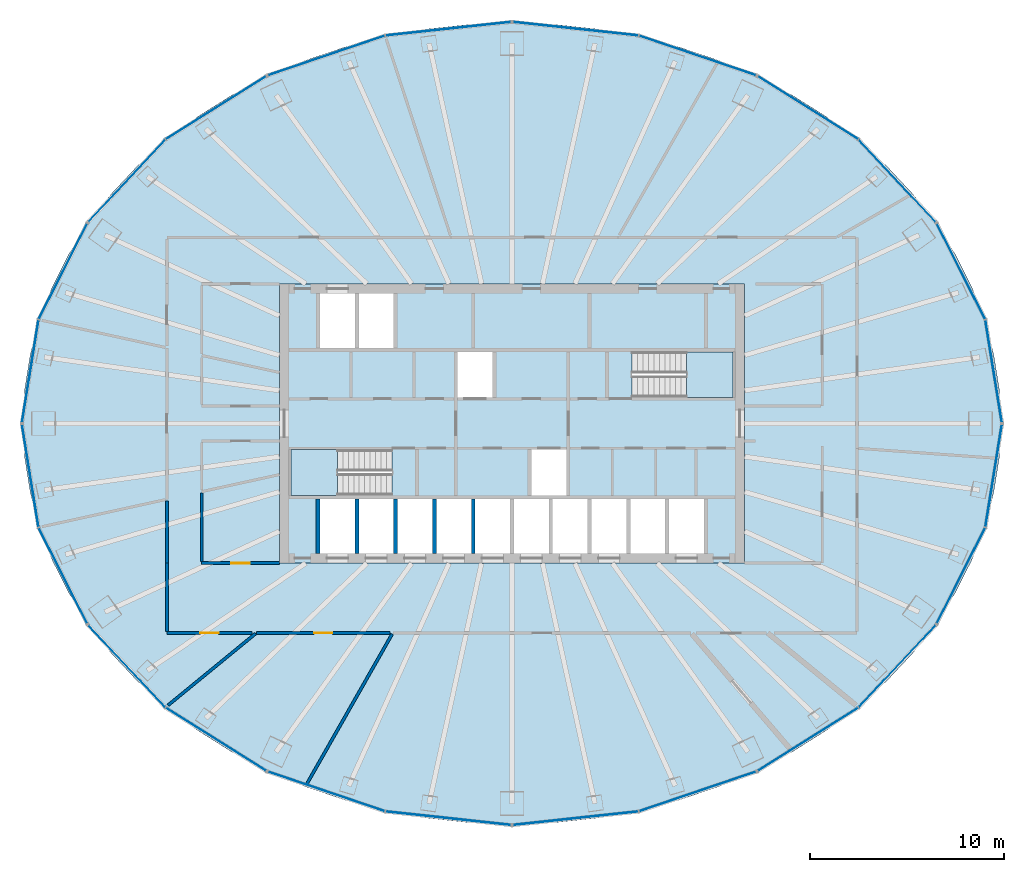
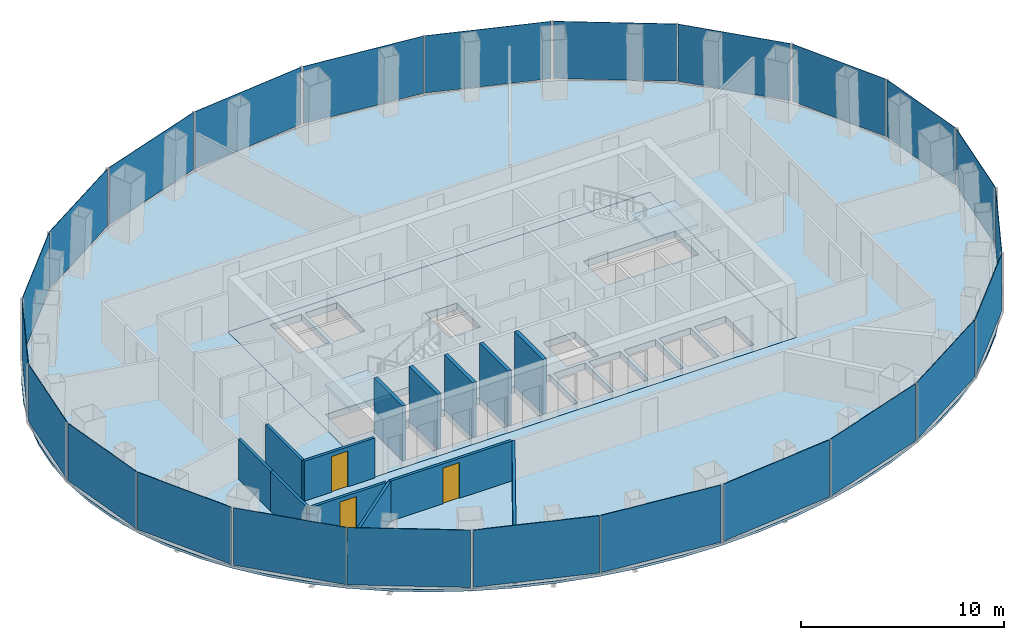
# One storey, part 7 of 11: 24 plates, 13 walls, 4 slabs, 3 doors, 3 openings, 14 elements without a shape of their own.
"""IFC4 building model written with IfcOpenShell, lengths in metres."""

from ifc_helpers import new_model, si_unit, direction, frame, frame_2d, origin, origin_2d, place, context, subcontext, project, spatial, polyline, rectangle, outline, extrude, material, layer, layer_set, type_object, element, fill, aggregate, save


model = new_model("IFC4")

# Units and contexts
model_context = context("Model", 3, precision=1e-05, world=origin(), true_north=direction((0.0, 1.0)))
body_context = subcontext(model_context, "Body", "Model", "MODEL_VIEW")
ifc_project = project(units=[si_unit("LENGTHUNIT", "METRE"), si_unit("AREAUNIT", "SQUARE_METRE"), si_unit("VOLUMEUNIT", "CUBIC_METRE"), si_unit("PLANEANGLEUNIT", "RADIAN"), si_unit("MASSUNIT", "GRAM", prefix="KILO")], contexts=[model_context])

# Site, building, storey
site_placement = place(None, origin())
site = spatial("IfcSite", under=ifc_project, at=site_placement, CompositionType="ELEMENT")
building_placement = place(site_placement, origin())
building = spatial("IfcBuilding", under=site, at=building_placement, Name="Siaravel Broadcast Tower", CompositionType="ELEMENT")
storey_placement = place(building_placement, frame((0.0, 0.0, 123.0)))
storey = spatial("IfcBuildingStorey", under=building, at=storey_placement, Name="L29", CompositionType="ELEMENT", Elevation=123.0)

# Curtain wall, plates
ifc_material_1 = material(Name="Aluminium 6063-T6", Category="aluminium")
ifc_layer_1 = layer(ifc_material_1, 0.199951171875)
ifc_layer_set_1 = layer_set([ifc_layer_1], Name="Aluminium 6063-T6")
curtain_wall_type = type_object("IfcCurtainWallType", Name="Unitised curtain wall, zone 2", PredefinedType="NOTDEFINED", material=ifc_layer_set_1)
curtain_wall_1_placement = place(storey_placement, origin())
curtain_wall_1 = element("IfcCurtainWall", 1, at=curtain_wall_1_placement, inside=storey, type_object=curtain_wall_type, Name="L29 Unitised curtain wall, zone 2 01", PredefinedType="NOTDEFINED")
ifc_material_2 = material(Name="Tinted laminated glass", Category="glass")
ifc_layer_2 = layer(ifc_material_2, 0.030029296875)
ifc_layer_set_2 = layer_set([ifc_layer_2], Name="Tinted laminated glass")
plate_type = type_object("IfcPlateType", Name="CW-Z2 glass panel", PredefinedType="CURTAIN_PANEL", material=ifc_layer_set_2)
plate_1_placement = place(storey_placement, frame((24.837646484375, 2.697265625, 0.110107421875), z_axis=(0.0, 0.0, 1.0), x_axis=(-0.158685611, 0.987329163, 0.0)))
plate_1 = element("IfcPlate", 2, at=plate_1_placement, type_object=plate_type, Name="CW-Z2 glass panel", PredefinedType="CURTAIN_PANEL", context=body_context, shape_type="SweptSolid", body=[
    extrude(rectangle(XDim=5.333740234375, YDim=0.030029296875, at=origin_2d()), origin(), (0.0, 0.0, 1.0), 3.43994140625),
])
plate_2_placement = place(storey_placement, frame((23.1533203125, 7.845947265625, 0.110107421875), z_axis=(0.0, 0.0, 1.0), x_axis=(-0.451261073, 0.892391979, 0.0)))
plate_2 = element("IfcPlate", 3, at=plate_2_placement, type_object=plate_type, Name="CW-Z2 glass panel", PredefinedType="CURTAIN_PANEL", context=body_context, shape_type="SweptSolid", body=[
    extrude(rectangle(XDim=5.500732421875, YDim=0.030029296875, at=origin_2d()), origin(), (0.0, 0.0, 1.0), 3.43994140625),
])
aggregate(curtain_wall_1, [plate_1, plate_2])

curtain_wall_2_placement = place(storey_placement, origin())
curtain_wall_2 = element("IfcCurtainWall", 4, at=curtain_wall_2_placement, inside=storey, type_object=curtain_wall_type, Name="L29 Unitised curtain wall, zone 2 02", PredefinedType="NOTDEFINED")
plate_3_placement = place(storey_placement, frame((19.86328125, 12.514404296875, 0.110107421875), z_axis=(0.0, 0.0, 1.0), x_axis=(-0.683655256, 0.729805105, 0.0)))
plate_3 = element("IfcPlate", 5, at=plate_3_placement, type_object=plate_type, Name="CW-Z2 glass panel", PredefinedType="CURTAIN_PANEL", context=body_context, shape_type="SweptSolid", body=[
    extrude(rectangle(XDim=5.77880859375, YDim=0.030029296875, at=origin_2d()), origin(), (0.0, 0.0, 1.0), 3.43994140625),
])
plate_4_placement = place(storey_placement, frame((15.2626953125, 16.282958984375, 0.110107421875), z_axis=(0.0, 0.0, 1.0), x_axis=(-0.846650632, 0.532149141, 0.0)))
plate_4 = element("IfcPlate", 6, at=plate_4_placement, type_object=plate_type, Name="CW-Z2 glass panel", PredefinedType="CURTAIN_PANEL", context=body_context, shape_type="SweptSolid", body=[
    extrude(rectangle(XDim=6.084228515625, YDim=0.030029296875, at=origin_2d()), origin(), (0.0, 0.0, 1.0), 3.43994140625),
])
aggregate(curtain_wall_2, [plate_3, plate_4])

curtain_wall_3_placement = place(storey_placement, origin())
curtain_wall_3 = element("IfcCurtainWall", 7, at=curtain_wall_3_placement, inside=storey, type_object=curtain_wall_type, Name="L29 Unitised curtain wall, zone 2 03", PredefinedType="NOTDEFINED")
plate_5_placement = place(storey_placement, frame((9.56982421875, 18.975341796875, 0.110107421875), z_axis=(0.0, 0.0, 1.0), x_axis=(-0.946977258, 0.321300596, 0.0)))
plate_5 = element("IfcPlate", 8, at=plate_5_placement, type_object=plate_type, Name="CW-Z2 glass panel", PredefinedType="CURTAIN_PANEL", context=body_context, shape_type="SweptSolid", body=[
    extrude(rectangle(XDim=6.337158203125, YDim=0.030029296875, at=origin_2d()), origin(), (0.0, 0.0, 1.0), 3.43994140625),
])
plate_6_placement = place(storey_placement, frame((3.285400390625, 20.3544921875, 0.110107421875), z_axis=(0.0, 0.0, 1.0), x_axis=(-0.994235591, 0.107217485, 0.0)))
plate_6 = element("IfcPlate", 9, at=plate_6_placement, type_object=plate_type, Name="CW-Z2 glass panel", PredefinedType="CURTAIN_PANEL", context=body_context, shape_type="SweptSolid", body=[
    extrude(rectangle(XDim=6.478759765625, YDim=0.030029296875, at=origin_2d()), origin(), (0.0, 0.0, 1.0), 3.43994140625),
])
aggregate(curtain_wall_3, [plate_5, plate_6])

curtain_wall_4_placement = place(storey_placement, origin())
curtain_wall_4 = element("IfcCurtainWall", 10, at=curtain_wall_4_placement, inside=storey, type_object=curtain_wall_type, Name="L29 Unitised curtain wall, zone 2 04", PredefinedType="NOTDEFINED")
plate_7_placement = place(storey_placement, frame((-3.285400390625, 20.3544921875, 0.110107421875), z_axis=(0.0, 0.0, 1.0), x_axis=(-0.994235591, -0.107217485, 0.0)))
plate_7 = element("IfcPlate", 11, at=plate_7_placement, type_object=plate_type, Name="CW-Z2 glass panel", PredefinedType="CURTAIN_PANEL", context=body_context, shape_type="SweptSolid", body=[
    extrude(rectangle(XDim=6.478759765625, YDim=0.030029296875, at=origin_2d()), origin(), (0.0, 0.0, 1.0), 3.43994140625),
])
plate_8_placement = place(storey_placement, frame((-9.56982421875, 18.975341796875, 0.110107421875), z_axis=(0.0, 0.0, 1.0), x_axis=(-0.946977258, -0.321300596, 0.0)))
plate_8 = element("IfcPlate", 12, at=plate_8_placement, type_object=plate_type, Name="CW-Z2 glass panel", PredefinedType="CURTAIN_PANEL", context=body_context, shape_type="SweptSolid", body=[
    extrude(rectangle(XDim=6.337158203125, YDim=0.030029296875, at=origin_2d()), origin(), (0.0, 0.0, 1.0), 3.43994140625),
])
aggregate(curtain_wall_4, [plate_7, plate_8])

curtain_wall_5_placement = place(storey_placement, origin())
curtain_wall_5 = element("IfcCurtainWall", 13, at=curtain_wall_5_placement, inside=storey, type_object=curtain_wall_type, Name="L29 Unitised curtain wall, zone 2 05", PredefinedType="NOTDEFINED")
plate_9_placement = place(storey_placement, frame((-15.2626953125, 16.282958984375, 0.110107421875), z_axis=(0.0, 0.0, 1.0), x_axis=(-0.846650632, -0.532149141, 0.0)))
plate_9 = element("IfcPlate", 14, at=plate_9_placement, type_object=plate_type, Name="CW-Z2 glass panel", PredefinedType="CURTAIN_PANEL", context=body_context, shape_type="SweptSolid", body=[
    extrude(rectangle(XDim=6.084228515625, YDim=0.030029296875, at=origin_2d()), origin(), (0.0, 0.0, 1.0), 3.43994140625),
])
plate_10_placement = place(storey_placement, frame((-19.86328125, 12.514404296875, 0.110107421875), z_axis=(0.0, 0.0, 1.0), x_axis=(-0.683655256, -0.729805105, 0.0)))
plate_10 = element("IfcPlate", 15, at=plate_10_placement, type_object=plate_type, Name="CW-Z2 glass panel", PredefinedType="CURTAIN_PANEL", context=body_context, shape_type="SweptSolid", body=[
    extrude(rectangle(XDim=5.77880859375, YDim=0.030029296875, at=origin_2d()), origin(), (0.0, 0.0, 1.0), 3.43994140625),
])
aggregate(curtain_wall_5, [plate_9, plate_10])

curtain_wall_6_placement = place(storey_placement, origin())
curtain_wall_6 = element("IfcCurtainWall", 16, at=curtain_wall_6_placement, inside=storey, type_object=curtain_wall_type, Name="L29 Unitised curtain wall, zone 2 06", PredefinedType="NOTDEFINED")
plate_11_placement = place(storey_placement, frame((-23.1533203125, 7.845947265625, 0.110107421875), z_axis=(0.0, 0.0, 1.0), x_axis=(-0.451261073, -0.892391979, 0.0)))
plate_11 = element("IfcPlate", 17, at=plate_11_placement, type_object=plate_type, Name="CW-Z2 glass panel", PredefinedType="CURTAIN_PANEL", context=body_context, shape_type="SweptSolid", body=[
    extrude(rectangle(XDim=5.500732421875, YDim=0.030029296875, at=origin_2d()), origin(), (0.0, 0.0, 1.0), 3.43994140625),
])
plate_12_placement = place(storey_placement, frame((-24.837646484375, 2.697265625, 0.110107421875), z_axis=(0.0, 0.0, 1.0), x_axis=(-0.158685611, -0.987329163, 0.0)))
plate_12 = element("IfcPlate", 18, at=plate_12_placement, type_object=plate_type, Name="CW-Z2 glass panel", PredefinedType="CURTAIN_PANEL", context=body_context, shape_type="SweptSolid", body=[
    extrude(rectangle(XDim=5.333740234375, YDim=0.030029296875, at=origin_2d()), origin(), (0.0, 0.0, 1.0), 3.43994140625),
])
aggregate(curtain_wall_6, [plate_11, plate_12])

curtain_wall_7_placement = place(storey_placement, origin())
curtain_wall_7 = element("IfcCurtainWall", 19, at=curtain_wall_7_placement, inside=storey, type_object=curtain_wall_type, Name="L29 Unitised curtain wall, zone 2 07", PredefinedType="NOTDEFINED")
plate_13_placement = place(storey_placement, frame((-24.837646484375, -2.697265625, 0.110107421875), z_axis=(0.0, 0.0, 1.0), x_axis=(0.158685611, -0.987329163, 0.0)))
plate_13 = element("IfcPlate", 20, at=plate_13_placement, type_object=plate_type, Name="CW-Z2 glass panel", PredefinedType="CURTAIN_PANEL", context=body_context, shape_type="SweptSolid", body=[
    extrude(rectangle(XDim=5.333740234375, YDim=0.030029296875, at=origin_2d()), origin(), (0.0, 0.0, 1.0), 3.43994140625),
])
plate_14_placement = place(storey_placement, frame((-23.1533203125, -7.845947265625, 0.110107421875), z_axis=(0.0, 0.0, 1.0), x_axis=(0.451261073, -0.892391979, 0.0)))
plate_14 = element("IfcPlate", 21, at=plate_14_placement, type_object=plate_type, Name="CW-Z2 glass panel", PredefinedType="CURTAIN_PANEL", context=body_context, shape_type="SweptSolid", body=[
    extrude(rectangle(XDim=5.500732421875, YDim=0.030029296875, at=origin_2d()), origin(), (0.0, 0.0, 1.0), 3.43994140625),
])
aggregate(curtain_wall_7, [plate_13, plate_14])

curtain_wall_8_placement = place(storey_placement, origin())
curtain_wall_8 = element("IfcCurtainWall", 22, at=curtain_wall_8_placement, inside=storey, type_object=curtain_wall_type, Name="L29 Unitised curtain wall, zone 2 08", PredefinedType="NOTDEFINED")
plate_15_placement = place(storey_placement, frame((-19.86328125, -12.514404296875, 0.110107421875), z_axis=(0.0, 0.0, 1.0), x_axis=(0.683655256, -0.729805105, 0.0)))
plate_15 = element("IfcPlate", 23, at=plate_15_placement, type_object=plate_type, Name="CW-Z2 glass panel", PredefinedType="CURTAIN_PANEL", context=body_context, shape_type="SweptSolid", body=[
    extrude(rectangle(XDim=5.77880859375, YDim=0.030029296875, at=origin_2d()), origin(), (0.0, 0.0, 1.0), 3.43994140625),
])
plate_16_placement = place(storey_placement, frame((-15.2626953125, -16.282958984375, 0.110107421875), z_axis=(0.0, 0.0, 1.0), x_axis=(0.846650632, -0.532149141, 0.0)))
plate_16 = element("IfcPlate", 24, at=plate_16_placement, type_object=plate_type, Name="CW-Z2 glass panel", PredefinedType="CURTAIN_PANEL", context=body_context, shape_type="SweptSolid", body=[
    extrude(rectangle(XDim=6.084228515625, YDim=0.030029296875, at=origin_2d()), origin(), (0.0, 0.0, 1.0), 3.43994140625),
])
aggregate(curtain_wall_8, [plate_15, plate_16])

curtain_wall_9_placement = place(storey_placement, origin())
curtain_wall_9 = element("IfcCurtainWall", 25, at=curtain_wall_9_placement, inside=storey, type_object=curtain_wall_type, Name="L29 Unitised curtain wall, zone 2 09", PredefinedType="NOTDEFINED")
plate_17_placement = place(storey_placement, frame((-9.56982421875, -18.975341796875, 0.110107421875), z_axis=(0.0, 0.0, 1.0), x_axis=(0.946977258, -0.321300596, 0.0)))
plate_17 = element("IfcPlate", 26, at=plate_17_placement, type_object=plate_type, Name="CW-Z2 glass panel", PredefinedType="CURTAIN_PANEL", context=body_context, shape_type="SweptSolid", body=[
    extrude(rectangle(XDim=6.337158203125, YDim=0.030029296875, at=origin_2d()), origin(), (0.0, 0.0, 1.0), 3.43994140625),
])
plate_18_placement = place(storey_placement, frame((-3.285400390625, -20.3544921875, 0.110107421875), z_axis=(0.0, 0.0, 1.0), x_axis=(0.994235591, -0.107217485, 0.0)))
plate_18 = element("IfcPlate", 27, at=plate_18_placement, type_object=plate_type, Name="CW-Z2 glass panel", PredefinedType="CURTAIN_PANEL", context=body_context, shape_type="SweptSolid", body=[
    extrude(rectangle(XDim=6.478759765625, YDim=0.030029296875, at=origin_2d()), origin(), (0.0, 0.0, 1.0), 3.43994140625),
])
aggregate(curtain_wall_9, [plate_17, plate_18])

curtain_wall_10_placement = place(storey_placement, origin())
curtain_wall_10 = element("IfcCurtainWall", 28, at=curtain_wall_10_placement, inside=storey, type_object=curtain_wall_type, Name="L29 Unitised curtain wall, zone 2 10", PredefinedType="NOTDEFINED")
plate_19_placement = place(storey_placement, frame((3.285400390625, -20.3544921875, 0.110107421875), z_axis=(0.0, 0.0, 1.0), x_axis=(0.994235591, 0.107217485, 0.0)))
plate_19 = element("IfcPlate", 29, at=plate_19_placement, type_object=plate_type, Name="CW-Z2 glass panel", PredefinedType="CURTAIN_PANEL", context=body_context, shape_type="SweptSolid", body=[
    extrude(rectangle(XDim=6.478759765625, YDim=0.030029296875, at=origin_2d()), origin(), (0.0, 0.0, 1.0), 3.43994140625),
])
plate_20_placement = place(storey_placement, frame((9.56982421875, -18.975341796875, 0.110107421875), z_axis=(0.0, 0.0, 1.0), x_axis=(0.946977258, 0.321300596, 0.0)))
plate_20 = element("IfcPlate", 30, at=plate_20_placement, type_object=plate_type, Name="CW-Z2 glass panel", PredefinedType="CURTAIN_PANEL", context=body_context, shape_type="SweptSolid", body=[
    extrude(rectangle(XDim=6.337158203125, YDim=0.030029296875, at=origin_2d()), origin(), (0.0, 0.0, 1.0), 3.43994140625),
])
aggregate(curtain_wall_10, [plate_19, plate_20])

curtain_wall_11_placement = place(storey_placement, origin())
curtain_wall_11 = element("IfcCurtainWall", 31, at=curtain_wall_11_placement, inside=storey, type_object=curtain_wall_type, Name="L29 Unitised curtain wall, zone 2 11", PredefinedType="NOTDEFINED")
plate_21_placement = place(storey_placement, frame((15.2626953125, -16.282958984375, 0.110107421875), z_axis=(0.0, 0.0, 1.0), x_axis=(0.846650632, 0.532149141, 0.0)))
plate_21 = element("IfcPlate", 32, at=plate_21_placement, type_object=plate_type, Name="CW-Z2 glass panel", PredefinedType="CURTAIN_PANEL", context=body_context, shape_type="SweptSolid", body=[
    extrude(rectangle(XDim=6.084228515625, YDim=0.030029296875, at=origin_2d()), origin(), (0.0, 0.0, 1.0), 3.43994140625),
])
plate_22_placement = place(storey_placement, frame((19.86328125, -12.514404296875, 0.110107421875), z_axis=(0.0, 0.0, 1.0), x_axis=(0.683655256, 0.729805105, 0.0)))
plate_22 = element("IfcPlate", 33, at=plate_22_placement, type_object=plate_type, Name="CW-Z2 glass panel", PredefinedType="CURTAIN_PANEL", context=body_context, shape_type="SweptSolid", body=[
    extrude(rectangle(XDim=5.77880859375, YDim=0.030029296875, at=origin_2d()), origin(), (0.0, 0.0, 1.0), 3.43994140625),
])
aggregate(curtain_wall_11, [plate_21, plate_22])

curtain_wall_12_placement = place(storey_placement, origin())
curtain_wall_12 = element("IfcCurtainWall", 34, at=curtain_wall_12_placement, inside=storey, type_object=curtain_wall_type, Name="L29 Unitised curtain wall, zone 2 12", PredefinedType="NOTDEFINED")
plate_23_placement = place(storey_placement, frame((23.1533203125, -7.845947265625, 0.110107421875), z_axis=(0.0, 0.0, 1.0), x_axis=(0.451261073, 0.892391979, 0.0)))
plate_23 = element("IfcPlate", 35, at=plate_23_placement, type_object=plate_type, Name="CW-Z2 glass panel", PredefinedType="CURTAIN_PANEL", context=body_context, shape_type="SweptSolid", body=[
    extrude(rectangle(XDim=5.500732421875, YDim=0.030029296875, at=origin_2d()), origin(), (0.0, 0.0, 1.0), 3.43994140625),
])
plate_24_placement = place(storey_placement, frame((24.837646484375, -2.697265625, 0.110107421875), z_axis=(0.0, 0.0, 1.0), x_axis=(0.158685611, 0.987329163, 0.0)))
plate_24 = element("IfcPlate", 36, at=plate_24_placement, type_object=plate_type, Name="CW-Z2 glass panel", PredefinedType="CURTAIN_PANEL", context=body_context, shape_type="SweptSolid", body=[
    extrude(rectangle(XDim=5.333740234375, YDim=0.030029296875, at=origin_2d()), origin(), (0.0, 0.0, 1.0), 3.43994140625),
])
aggregate(curtain_wall_12, [plate_23, plate_24])

# Slabs
ifc_material_3 = material(Name="Concrete C40/50", Category="concrete")
ifc_layer_3 = layer(ifc_material_3, 0.39990234375)
ifc_layer_set_3 = layer_set([ifc_layer_3], Name="Concrete C40/50")
slab_type_1 = type_object("IfcSlabType", Name="Core floor slab 400", PredefinedType="FLOOR", material=ifc_layer_set_3)
slab_1_placement = place(storey_placement, frame((0.0, 0.0, -0.39990234375)))
element("IfcSlab", 37, at=slab_1_placement, inside=storey, type_object=slab_type_1, Name="L29 core floor", PredefinedType="FLOOR", context=body_context, shape_type="SweptSolid", body=[
    extrude(outline(polyline([(-12.0, -7.199951171875), (-12.0, 7.199951171875), (12.0, 7.199951171875), (12.0, -7.199951171875), (-12.0, -7.199951171875)]), holes=[polyline([(11.3994140625, 1.3505859375), (11.3994140625, 3.699462890625), (6.200439453125, 3.699462890625), (6.200439453125, 1.3505859375), (11.3994140625, 1.3505859375)]), polyline([(9.89990234375, -3.89990234375), (8.10009765625, -3.89990234375), (8.10009765625, -6.699951171875), (9.89990234375, -6.699951171875), (9.89990234375, -3.89990234375)]), polyline([(7.89990234375, -3.89990234375), (6.10009765625, -3.89990234375), (6.10009765625, -6.699951171875), (7.89990234375, -6.699951171875), (7.89990234375, -3.89990234375)]), polyline([(5.89990234375, -3.89990234375), (4.10009765625, -3.89990234375), (4.10009765625, -6.699951171875), (5.89990234375, -6.699951171875), (5.89990234375, -3.89990234375)]), polyline([(3.89990234375, -3.89990234375), (2.10009765625, -3.89990234375), (2.10009765625, -6.699951171875), (3.89990234375, -6.699951171875), (3.89990234375, -3.89990234375)]), polyline([(2.800048828125, -1.35009765625), (1.0, -1.35009765625), (1.0, -3.699951171875), (2.800048828125, -3.699951171875), (2.800048828125, -1.35009765625)]), polyline([(1.89990234375, -3.89990234375), (0.10009765625, -3.89990234375), (0.10009765625, -6.699951171875), (1.89990234375, -6.699951171875), (1.89990234375, -3.89990234375)]), polyline([(-0.10009765625, -3.89990234375), (-1.89990234375, -3.89990234375), (-1.89990234375, -6.699951171875), (-0.10009765625, -6.699951171875), (-0.10009765625, -3.89990234375)]), polyline([(-1.0, 3.699951171875), (-2.800048828125, 3.699951171875), (-2.800048828125, 1.35009765625), (-1.0, 1.35009765625), (-1.0, 3.699951171875)]), polyline([(-2.10009765625, -3.89990234375), (-3.89990234375, -3.89990234375), (-3.89990234375, -6.699951171875), (-2.10009765625, -6.699951171875), (-2.10009765625, -3.89990234375)]), polyline([(-4.10009765625, -3.89990234375), (-5.89990234375, -3.89990234375), (-5.89990234375, -6.699951171875), (-4.10009765625, -6.699951171875), (-4.10009765625, -3.89990234375)]), polyline([(-6.10009765625, -3.89990234375), (-7.89990234375, -3.89990234375), (-7.89990234375, -6.699951171875), (-6.10009765625, -6.699951171875), (-6.10009765625, -3.89990234375)]), polyline([(-6.10009765625, 6.699951171875), (-7.89990234375, 6.699951171875), (-7.89990234375, 3.89990234375), (-6.10009765625, 3.89990234375), (-6.10009765625, 6.699951171875)]), polyline([(-11.3994140625, -1.3505859375), (-11.3994140625, -3.699462890625), (-6.200439453125, -3.699462890625), (-6.200439453125, -1.3505859375), (-11.3994140625, -1.3505859375)]), polyline([(-8.10009765625, -3.89990234375), (-9.89990234375, -3.89990234375), (-9.89990234375, -6.699951171875), (-8.10009765625, -6.699951171875), (-8.10009765625, -3.89990234375)]), polyline([(-8.10009765625, 6.699951171875), (-9.89990234375, 6.699951171875), (-9.89990234375, 3.89990234375), (-8.10009765625, 3.89990234375), (-8.10009765625, 6.699951171875)])]), origin(), (0.0, 0.0, 1.0), 0.39990234375),
])
ifc_layer_4 = layer(ifc_material_3, 0.14990234375)
ifc_layer_set_4 = layer_set([ifc_layer_4], Name="Concrete C40/50")
slab_type_2 = type_object("IfcSlabType", Name="SLB-FLOOR-150", PredefinedType="FLOOR", material=ifc_layer_set_4)
slab_2_placement = place(storey_placement, frame((0.0, 0.0, -0.14990234375)))
element("IfcSlab", 38, at=slab_2_placement, inside=storey, type_object=slab_type_2, Name="Floor slab", PredefinedType="FLOOR", context=body_context, shape_type="SweptSolid", body=[
    extrude(outline(polyline([(25.22119140625, 0.0), (25.125, 1.800537109375), (24.837890625, 3.58740234375), (24.36181640625, 5.346923828125), (23.7001953125, 7.06591796875), (22.858154296875, 8.730712890625), (21.842041015625, 10.329345703125), (20.659912109375, 11.849609375), (19.320556640625, 13.279296875), (17.833984375, 14.60791015625), (16.2119140625, 15.82568359375), (14.46630859375, 16.9228515625), (12.610595703125, 17.89111328125), (10.658935546875, 18.723388671875), (8.626220703125, 19.4130859375), (6.527587890625, 19.955078125), (4.379638671875, 20.344970703125), (2.1982421875, 20.580322265625), (0.0, 20.658935546875), (-2.1982421875, 20.580322265625), (-4.379638671875, 20.344970703125), (-6.527587890625, 19.955078125), (-8.626220703125, 19.4130859375), (-10.658935546875, 18.723388671875), (-12.610595703125, 17.89111328125), (-14.46630859375, 16.9228515625), (-16.2119140625, 15.82568359375), (-17.833984375, 14.60791015625), (-19.320556640625, 13.279296875), (-20.659912109375, 11.849609375), (-21.842041015625, 10.329345703125), (-22.858154296875, 8.730712890625), (-23.7001953125, 7.06591796875), (-24.36181640625, 5.346923828125), (-24.837890625, 3.58740234375), (-25.125, 1.800537109375), (-25.22119140625, 0.0), (-25.125, -1.800537109375), (-24.837890625, -3.58740234375), (-24.36181640625, -5.346923828125), (-23.7001953125, -7.06591796875), (-22.858154296875, -8.730712890625), (-21.842041015625, -10.32958984375), (-20.659912109375, -11.849609375), (-19.320556640625, -13.279296875), (-17.833984375, -14.60791015625), (-16.2119140625, -15.82568359375), (-14.46630859375, -16.9228515625), (-12.610595703125, -17.89111328125), (-10.658935546875, -18.723388671875), (-8.626220703125, -19.4130859375), (-6.527587890625, -19.955078125), (-4.379638671875, -20.344970703125), (-2.1982421875, -20.580322265625), (0.0, -20.658935546875), (2.1982421875, -20.580322265625), (4.379638671875, -20.344970703125), (6.527587890625, -19.955078125), (8.626220703125, -19.4130859375), (10.658935546875, -18.723388671875), (12.610595703125, -17.89111328125), (14.46630859375, -16.9228515625), (16.2119140625, -15.82568359375), (17.833984375, -14.60791015625), (19.320556640625, -13.279296875), (20.659912109375, -11.849609375), (21.842041015625, -10.32958984375), (22.858154296875, -8.730712890625), (23.7001953125, -7.06591796875), (24.36181640625, -5.346923828125), (24.837890625, -3.58740234375), (25.125, -1.800537109375), (25.22119140625, 0.0)]), holes=[polyline([(-12.0, 7.199951171875), (12.0, 7.199951171875), (12.0, -7.199951171875), (-12.0, -7.199951171875), (-12.0, 7.199951171875)])]), origin(), (0.0, 0.0, 1.0), 0.14990234375),
])

# Stair, slab
stair_type = type_object("IfcStairType", Name="Core exit stair", PredefinedType="HALF_TURN_STAIR", material=ifc_material_3)
stair_1_placement = place(storey_placement, origin())
stair_1 = element("IfcStair", 39, at=stair_1_placement, inside=storey, type_object=stair_type, Name="L29 Exit stair ST-1", PredefinedType="HALF_TURN_STAIR")
ifc_layer_5 = layer(ifc_material_3, 0.199951171875)
ifc_layer_set_5 = layer_set([ifc_layer_5], Name="Concrete C40/50")
slab_type_3 = type_object("IfcSlabType", Name="Stair landing", PredefinedType="LANDING", material=ifc_layer_set_5)
slab_3_placement = place(storey_placement, frame((0.0, 0.0, 1.64990234375)))
slab_3 = element("IfcSlab", 40, at=slab_3_placement, type_object=slab_type_3, Name="ST-1 landing 1", PredefinedType="LANDING", context=body_context, shape_type="SweptSolid", body=[
    extrude(outline(polyline([(-9.0, -1.35009765625), (-11.39990234375, -1.35009765625), (-11.39990234375, -3.699951171875), (-9.0, -3.699951171875), (-9.0, -1.35009765625)])), origin(), (0.0, 0.0, 1.0), 0.2001953125),
])
aggregate(stair_1, [slab_3])

stair_2_placement = place(storey_placement, origin())
stair_2 = element("IfcStair", 41, at=stair_2_placement, inside=storey, type_object=stair_type, Name="L29 Exit stair ST-2", PredefinedType="HALF_TURN_STAIR")
slab_4_placement = place(storey_placement, frame((0.0, 0.0, 1.64990234375)))
slab_4 = element("IfcSlab", 42, at=slab_4_placement, type_object=slab_type_3, Name="ST-2 landing 1", PredefinedType="LANDING", context=body_context, shape_type="SweptSolid", body=[
    extrude(outline(polyline([(9.0, 1.35009765625), (11.39990234375, 1.35009765625), (11.39990234375, 3.699951171875), (9.0, 3.699951171875), (9.0, 1.35009765625)])), origin(), (0.0, 0.0, 1.0), 0.2001953125),
])
aggregate(stair_2, [slab_4])

# Wall, opening, door
ifc_material_4 = material(Name="Gypsum board partition", Category="gypsum")
ifc_layer_6 = layer(ifc_material_4, 0.14990234375)
ifc_layer_set_6 = layer_set([ifc_layer_6], Name="Gypsum board partition")
wall_type_1 = type_object("IfcWallType", Name="Corridor wall 150", PredefinedType="PARTITIONING", material=ifc_layer_set_6)
wall_1_placement = place(storey_placement, frame((-13.18505859375, -10.800048828125, 0.0), z_axis=(0.0, 0.0, 1.0), x_axis=(1.0, 0.0, 0.0)))
wall_1 = element("IfcWall", 43, at=wall_1_placement, inside=storey, type_object=wall_type_1, Name="L29 partition 12", PredefinedType="PARTITIONING", context=body_context, shape_type="SweptSolid", body=[
    extrude(rectangle(XDim=6.90576171875, YDim=0.14990234375, at=frame_2d((3.452880859375, 0.0))), origin(), (0.0, 0.0, 1.0), 2.39990234375),
])
opening_1_placement = place(wall_1_placement, frame((2.977783203125, 0.0, 0.0)))
opening_1 = element("IfcOpeningElement", 44, at=opening_1_placement, cuts=wall_1, Name="Opening L29-015", PredefinedType="OPENING", context=body_context, shape_type="SweptSolid", body=[
    extrude(rectangle(XDim=0.949951171875, YDim=2.14990234375, at=frame_2d((0.47509765625, 1.074951171875))), frame((0.0, 0.0849609375, 0.0), z_axis=(0.0, -1.0, 0.0), x_axis=(1.0, 0.0, 0.0)), (0.0, 0.0, 1.0), 0.169921875),
])
ifc_material_5 = material(Name="Timber veneer", Category="wood")
door_type = type_object("IfcDoorType", Name="Office door 950", OperationType="SINGLE_SWING_LEFT", PredefinedType="DOOR", material=ifc_material_5)
door_1_placement = place(opening_1_placement, origin())
door_1 = element("IfcDoor", 45, at=door_1_placement, inside=storey, type_object=door_type, Name="L29 door to Production office", OperationType="SINGLE_SWING_LEFT", OverallHeight=2.14990234375, OverallWidth=0.949951171875, PredefinedType="DOOR", context=body_context, shape_type="SweptSolid", body=[
    extrude(rectangle(XDim=0.949951171875, YDim=2.14990234375, at=frame_2d((0.47509765625, 1.074951171875))), frame((0.0, 0.02490234375, 0.0), z_axis=(0.0, -1.0, 0.0), x_axis=(1.0, 0.0, 0.0)), (0.0, 0.0, 1.0), 0.050048828125),
])
fill(opening_1, door_1)

wall_2_placement = place(storey_placement, frame((-17.800048828125, -10.800048828125, 0.0), z_axis=(0.0, 0.0, 1.0), x_axis=(1.0, 0.0, 0.0)))
wall_2 = element("IfcWall", 46, at=wall_2_placement, inside=storey, type_object=wall_type_1, Name="L29 partition 20", PredefinedType="PARTITIONING", context=body_context, shape_type="SweptSolid", body=[
    extrude(rectangle(XDim=4.403076171875, YDim=0.14990234375, at=frame_2d((2.20166015625, 0.0))), origin(), (0.0, 0.0, 1.0), 2.39990234375),
])
opening_2_placement = place(wall_2_placement, frame((1.7265625, 0.0, 0.0)))
opening_2 = element("IfcOpeningElement", 47, at=opening_2_placement, cuts=wall_2, Name="Opening L29-013", PredefinedType="OPENING", context=body_context, shape_type="SweptSolid", body=[
    extrude(rectangle(XDim=0.949951171875, YDim=2.14990234375, at=frame_2d((0.47509765625, 1.074951171875))), frame((0.0, 0.0849609375, 0.0), z_axis=(0.0, -1.0, 0.0), x_axis=(1.0, 0.0, 0.0)), (0.0, 0.0, 1.0), 0.169921875),
])
door_2_placement = place(opening_2_placement, origin())
door_2 = element("IfcDoor", 48, at=door_2_placement, inside=storey, type_object=door_type, Name="L29 door to Design studio", OperationType="SINGLE_SWING_LEFT", OverallHeight=2.14990234375, OverallWidth=0.949951171875, PredefinedType="DOOR", context=body_context, shape_type="SweptSolid", body=[
    extrude(rectangle(XDim=0.949951171875, YDim=2.14990234375, at=frame_2d((0.47509765625, 1.074951171875))), frame((0.0, 0.02490234375, 0.0), z_axis=(0.0, -1.0, 0.0), x_axis=(1.0, 0.0, 0.0)), (0.0, 0.0, 1.0), 0.050048828125),
])
fill(opening_2, door_2)

wall_3_placement = place(storey_placement, frame((-12.0, -7.199951171875, 0.0), z_axis=(0.0, 0.0, 1.0), x_axis=(-1.0, 0.0, 0.0)))
wall_3 = element("IfcWall", 49, at=wall_3_placement, inside=storey, type_object=wall_type_1, Name="L29 partition 27", PredefinedType="PARTITIONING", context=body_context, shape_type="SweptSolid", body=[
    extrude(rectangle(XDim=4.0, YDim=0.14990234375, at=frame_2d((2.0, 0.0))), origin(), (0.0, 0.0, 1.0), 2.39990234375),
])
opening_3_placement = place(wall_3_placement, frame((1.52490234375, 0.0, 0.0)))
opening_3 = element("IfcOpeningElement", 50, at=opening_3_placement, cuts=wall_3, Name="Opening L29-014", PredefinedType="OPENING", context=body_context, shape_type="SweptSolid", body=[
    extrude(rectangle(XDim=0.949951171875, YDim=2.14990234375, at=frame_2d((0.47509765625, 1.074951171875))), frame((0.0, 0.0849609375, 0.0), z_axis=(0.0, -1.0, 0.0), x_axis=(1.0, 0.0, 0.0)), (0.0, 0.0, 1.0), 0.169921875),
])
door_3_placement = place(opening_3_placement, origin())
door_3 = element("IfcDoor", 51, at=door_3_placement, inside=storey, type_object=door_type, Name="L29 door to Design studio", OperationType="SINGLE_SWING_RIGHT", OverallHeight=2.14990234375, OverallWidth=0.949951171875, PredefinedType="DOOR", context=body_context, shape_type="SweptSolid", body=[
    extrude(rectangle(XDim=0.949951171875, YDim=2.14990234375, at=frame_2d((0.47509765625, 1.074951171875))), frame((0.0, 0.02490234375, 0.0), z_axis=(0.0, -1.0, 0.0), x_axis=(1.0, 0.0, 0.0)), (0.0, 0.0, 1.0), 0.050048828125),
])
fill(opening_3, door_3)

# Walls
wall_4_placement = place(storey_placement, frame((-16.0, -7.123046875, 0.0), z_axis=(0.0, 0.0, 1.0), x_axis=(0.0, 1.0, 0.0)))
element("IfcWall", 52, at=wall_4_placement, inside=storey, type_object=wall_type_1, Name="L29 partition 32", PredefinedType="PARTITIONING", context=body_context, shape_type="SweptSolid", body=[
    extrude(rectangle(XDim=3.5361328125, YDim=0.14990234375, at=frame_2d((1.76806640625, 0.0))), origin(), (0.0, 0.0, 1.0), 2.39990234375),
])
wall_5_placement = place(storey_placement, frame((-17.800048828125, -7.18798828125, 0.0), z_axis=(0.0, 0.0, 1.0), x_axis=(0.0, -1.0, 0.0)))
element("IfcWall", 53, at=wall_5_placement, inside=storey, type_object=wall_type_1, Name="L29 partition 34", PredefinedType="PARTITIONING", context=body_context, shape_type="SweptSolid", body=[
    extrude(rectangle(XDim=3.534912109375, YDim=0.14990234375, at=frame_2d((1.767578125, 0.0))), origin(), (0.0, 0.0, 1.0), 2.39990234375),
])
wall_6_placement = place(storey_placement, frame((-17.800048828125, -4.001953125, 0.0), z_axis=(0.0, 0.0, 1.0), x_axis=(0.0, -1.0, 0.0)))
element("IfcWall", 54, at=wall_6_placement, inside=storey, type_object=wall_type_1, Name="L29 partition 37", PredefinedType="PARTITIONING", context=body_context, shape_type="SweptSolid", body=[
    extrude(rectangle(XDim=3.18505859375, YDim=0.14990234375, at=frame_2d((1.592529296875, 0.0))), origin(), (0.0, 0.0, 1.0), 2.39990234375),
])
ifc_layer_7 = layer(ifc_material_4, 0.14990234375)
ifc_layer_set_7 = layer_set([ifc_layer_7], Name="Gypsum board partition")
wall_type_2 = type_object("IfcWallType", Name="Room partition 150", PredefinedType="PARTITIONING", material=ifc_layer_set_7)
wall_7_placement = place(storey_placement, frame((-10.598388671875, -18.6171875, 0.0), z_axis=(0.0, 0.0, 1.0), x_axis=(0.494736514, 0.869043026, 0.0)))
element("IfcWall", 55, at=wall_7_placement, inside=storey, type_object=wall_type_2, Name="L29 partition 6", PredefinedType="PARTITIONING", context=body_context, shape_type="SweptSolid", body=[
    extrude(rectangle(XDim=8.927978515625, YDim=0.14990234375, at=frame_2d((4.4638671875, 0.0))), origin(), (0.0, 0.0, 1.0), 2.39990234375),
])
wall_8_placement = place(storey_placement, frame((-17.738525390625, -14.52978515625, 0.0), z_axis=(0.0, 0.0, 1.0), x_axis=(0.773597481, 0.633677314, 0.0)))
element("IfcWall", 56, at=wall_8_placement, inside=storey, type_object=wall_type_2, Name="L29 partition 18", PredefinedType="PARTITIONING", context=body_context, shape_type="SweptSolid", body=[
    extrude(rectangle(XDim=5.83642578125, YDim=0.14990234375, at=frame_2d((2.918212890625, 0.0))), origin(), (0.0, 0.0, 1.0), 2.39990234375),
])
ifc_material_6 = material(Name="Concrete C60/75", Category="concrete")
ifc_layer_8 = layer(ifc_material_6, 0.199951171875)
ifc_layer_set_8 = layer_set([ifc_layer_8], Name="Concrete C60/75")
wall_type_3 = type_object("IfcWallType", Name="Shaft wall 200", PredefinedType="SHEAR", material=ifc_layer_set_8)
for number, where, z_axis, x_axis, name in (
    (57, (-10.0, -6.699951171875, 0.0), (0.0, 0.0, 1.0), (0.0, 1.0, 0.0), "L29 core wall SWS0"),
    (58, (-8.0, -6.699951171875, 0.0), (0.0, 0.0, 1.0), (0.0, 1.0, 0.0), "L29 core wall SWS1"),
    (59, (-6.0, -6.699951171875, 0.0), (0.0, 0.0, 1.0), (0.0, 1.0, 0.0), "L29 core wall SWS2"),
    (60, (-4.0, -6.699951171875, 0.0), (0.0, 0.0, 1.0), (0.0, 1.0, 0.0), "L29 core wall SWS3"),
    (61, (-2.0, -6.699951171875, 0.0), (0.0, 0.0, 1.0), (0.0, 1.0, 0.0), "L29 core wall SWS4"),
):
    element("IfcWall", number, at=place(storey_placement, frame(where, z_axis=z_axis, x_axis=x_axis)), inside=storey, type_object=wall_type_3, Name=name, PredefinedType="SHEAR", context=body_context, shape_type="SweptSolid", body=[
        extrude(rectangle(XDim=2.800048828125, YDim=0.199951171875, at=frame_2d((1.39990234375, 0.0))), origin(), (0.0, 0.0, 1.0), 3.300048828125),
    ])

save(model, "model.ifc")
